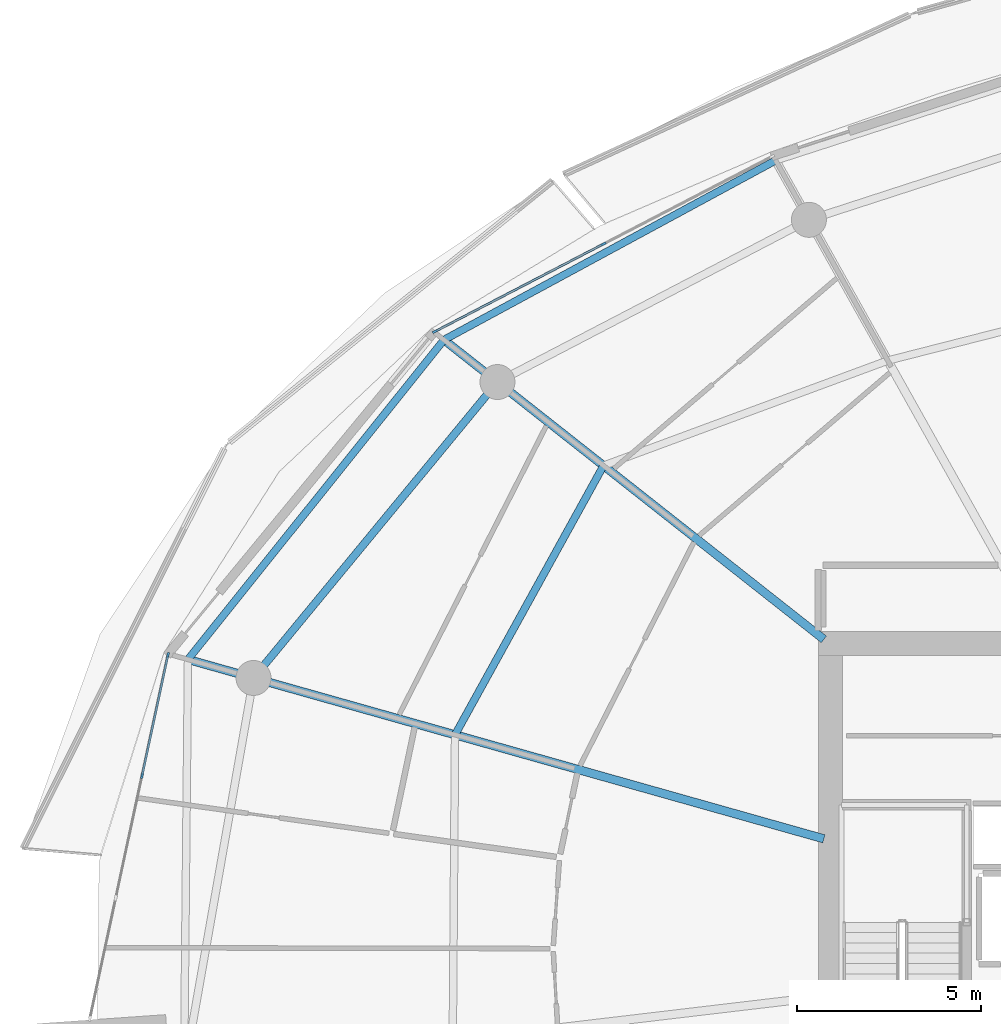
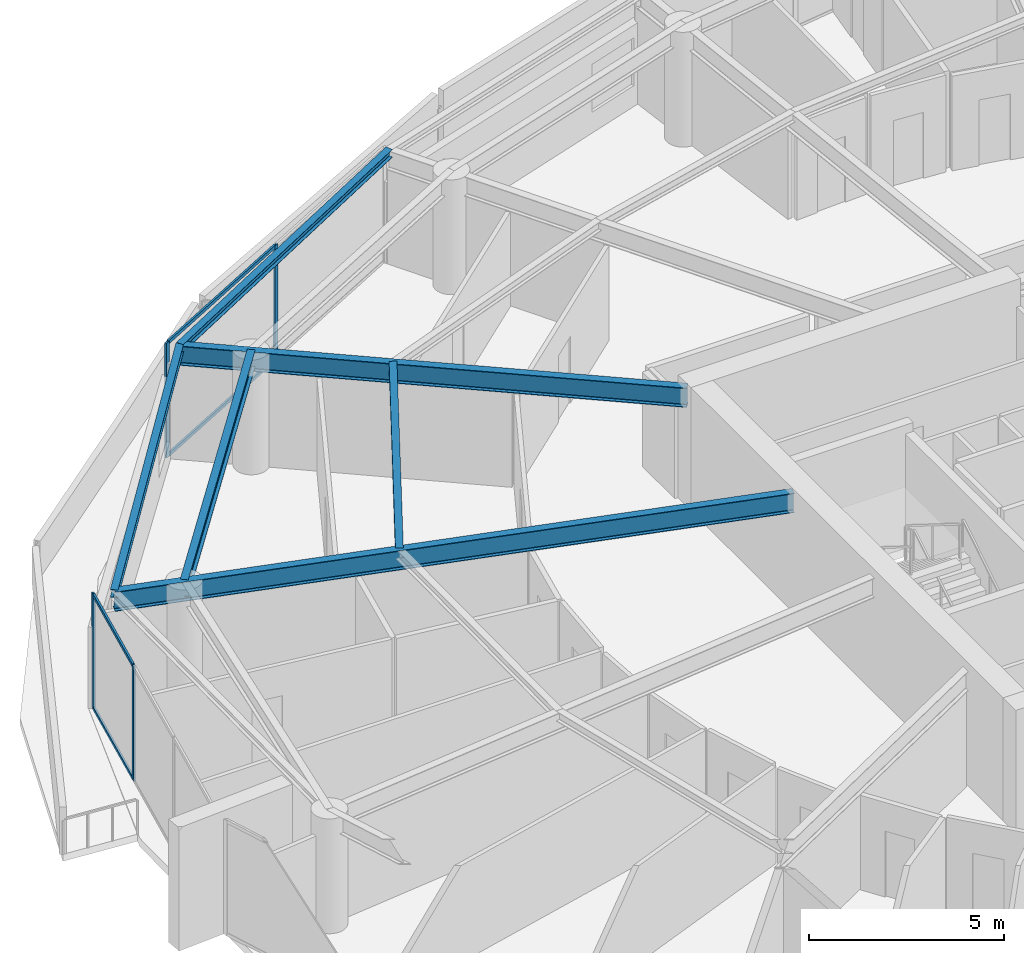
# One storey, part 11 of 29: 8 members, 6 beams, 2 elements without a shape of their own.
"""IFC4 building model written with IfcOpenShell, lengths in metres."""

from ifc_helpers import new_model, si_unit, direction, frame, origin, origin_2d, place, context, subcontext, project, spatial, rectangle, i_section, extrude, material, layer, layer_set, material_profile, profile_set, type_object, element, aggregate, save


model = new_model("IFC4")

# Units and contexts
model_context = context("Model", 3, precision=1e-05, world=origin(), true_north=direction((0.0, 1.0)))
body_context = subcontext(model_context, "Body", "Model", "MODEL_VIEW")
ifc_project = project(units=[si_unit("LENGTHUNIT", "METRE"), si_unit("AREAUNIT", "SQUARE_METRE"), si_unit("VOLUMEUNIT", "CUBIC_METRE"), si_unit("PLANEANGLEUNIT", "RADIAN"), si_unit("MASSUNIT", "GRAM", prefix="KILO")], contexts=[model_context])

# Site, building, storey
site_placement = place(None, origin())
site = spatial("IfcSite", under=ifc_project, at=site_placement, CompositionType="ELEMENT")
building_placement = place(site_placement, origin())
building = spatial("IfcBuilding", under=site, at=building_placement, Name="Kazma Halo Residences", CompositionType="ELEMENT")
storey_placement = place(building_placement, frame((0.0, 0.0, 252.10009765625)))
storey = spatial("IfcBuildingStorey", under=building, at=storey_placement, Name="L63", CompositionType="ELEMENT", Elevation=252.10009765625)

# Beams
ifc_material_1 = material(Name="Steel S355", Category="steel")
ifc_material_profile_1 = material_profile(ifc_material_1, i_section(OverallWidth=0.201904296875, OverallDepth=0.2470703125, WebThickness=0.00732421875, FlangeThickness=0.010986328125, FilletRadius=0.011962890625, at=origin_2d()), Name="W250x49.1")
ifc_profile_set_1 = profile_set([ifc_material_profile_1], Name="Steel S355")
beam_type_1 = type_object("IfcBeamType", Name="BM-BAL-CANT", PredefinedType="BEAM", material=ifc_profile_set_1)
beam_1_placement = place(storey_placement, frame((35.990478515625, 63.444580078125, 3.46630859375), z_axis=(-0.879517282036, -0.475866946321, 0.0), x_axis=(0.475866946321, -0.879517282036, 0.0)))
element("IfcBeam", 1, at=beam_1_placement, inside=storey, type_object=beam_type_1, Name="L63 wave-balcony tie beam 05", PredefinedType="BEAM", context=body_context, shape_type="SweptSolid", body=[
    extrude(i_section(OverallWidth=0.201904296875, OverallDepth=0.2470703125, WebThickness=0.00732421875, FlangeThickness=0.010986328125, FilletRadius=0.011962890625, at=origin_2d()), origin(), (0.0, 0.0, 1.0), 10.243408203125),
])
beam_2_placement = place(storey_placement, frame((26.981201171875, 58.570068359375, 3.46630859375), z_axis=(-0.625117912406, -0.780530329705, 0.0), x_axis=(0.780530329705, -0.625117912406, 0.0)))
element("IfcBeam", 2, at=beam_2_placement, inside=storey, type_object=beam_type_1, Name="L63 wave-balcony tie beam 06", PredefinedType="BEAM", context=body_context, shape_type="SweptSolid", body=[
    extrude(i_section(OverallWidth=0.201904296875, OverallDepth=0.2470703125, WebThickness=0.00732421875, FlangeThickness=0.010986328125, FilletRadius=0.011962890625, at=origin_2d()), origin(), (0.0, 0.0, 1.0), 11.1220703125),
])
ifc_material_profile_2 = material_profile(ifc_material_1, i_section(OverallWidth=0.22802734375, OverallDepth=0.60791015625, WebThickness=0.01123046875, FlangeThickness=0.017333984375, FilletRadius=0.01806640625, at=origin_2d()), Name="W610x113")
ifc_profile_set_2 = profile_set([ifc_material_profile_2], Name="Steel S355")
beam_type_2 = type_object("IfcBeamType", Name="BM-RAD-W610", PredefinedType="BEAM", material=ifc_profile_set_2)
beam_3_placement = place(storey_placement, frame((37.300048828125, 50.435302734375, 3.285888671875), z_axis=(-0.785315374811, 0.61909592317, 0.0), x_axis=(-0.61909592317, -0.785315374811, 0.0)))
element("IfcBeam", 3, at=beam_3_placement, inside=storey, type_object=beam_type_2, Name="L63 radial floor beam 06", PredefinedType="BEAM", context=body_context, shape_type="SweptSolid", body=[
    extrude(i_section(OverallWidth=0.22802734375, OverallDepth=0.60791015625, WebThickness=0.01123046875, FlangeThickness=0.017333984375, FilletRadius=0.01806640625, at=origin_2d()), origin(), (0.0, 0.0, 1.0), 13.1396484375),
])
beam_4_placement = place(storey_placement, frame((37.300048828125, 45.017578125, 3.285888671875), z_axis=(-0.962451225349, 0.271454671766, 0.0), x_axis=(-0.271454671766, -0.962451225349, 0.0)))
element("IfcBeam", 4, at=beam_4_placement, inside=storey, type_object=beam_type_2, Name="L63 radial floor beam 07", PredefinedType="BEAM", context=body_context, shape_type="SweptSolid", body=[
    extrude(i_section(OverallWidth=0.22802734375, OverallDepth=0.60791015625, WebThickness=0.01123046875, FlangeThickness=0.017333984375, FilletRadius=0.01806640625, at=origin_2d()), origin(), (0.0, 0.0, 1.0), 17.9453125),
])
ifc_material_profile_3 = material_profile(ifc_material_1, i_section(OverallWidth=0.202880859375, OverallDepth=0.302978515625, WebThickness=0.007568359375, FlangeThickness=0.01318359375, FilletRadius=0.013916015625, at=origin_2d()), Name="W310x60")
ifc_profile_set_3 = profile_set([ifc_material_profile_3], Name="Steel S355")
beam_type_3 = type_object("IfcBeamType", Name="BM-SEC-W310A", PredefinedType="JOIST", material=ifc_profile_set_3)
beam_5_placement = place(storey_placement, frame((31.31494140625, 55.1533203125, 3.4384765625), z_axis=(-0.483003900912, -0.875618199733, 0.0), x_axis=(0.875618199733, -0.483003900912, 0.0)))
element("IfcBeam", 5, at=beam_5_placement, inside=storey, type_object=beam_type_3, Name="L63 circumferential floor joist 06", PredefinedType="JOIST", context=body_context, shape_type="SweptSolid", body=[
    extrude(i_section(OverallWidth=0.202880859375, OverallDepth=0.302978515625, WebThickness=0.007568359375, FlangeThickness=0.01318359375, FilletRadius=0.013916015625, at=origin_2d()), origin(), (0.0, 0.0, 1.0), 8.3486328125),
])
ifc_material_profile_4 = material_profile(ifc_material_1, i_section(OverallWidth=0.208984375, OverallDepth=0.532958984375, WebThickness=0.01025390625, FlangeThickness=0.015625, FilletRadius=0.01611328125, at=origin_2d()), Name="W530x92")
ifc_profile_set_4 = profile_set([ifc_material_profile_4], Name="Steel S355")
beam_type_4 = type_object("IfcBeamType", Name="BM-SPN-W530", PredefinedType="BEAM", material=ifc_profile_set_4)
beam_6_placement = place(storey_placement, frame((28.433837890625, 57.4248046875, 3.323486328125), z_axis=(-0.636002144225, -0.771687289348, 0.0), x_axis=(0.771687289348, -0.636002144225, 0.0)))
element("IfcBeam", 6, at=beam_6_placement, inside=storey, type_object=beam_type_4, Name="L63 perimeter ring beam 06", PredefinedType="BEAM", context=body_context, shape_type="SweptSolid", body=[
    extrude(i_section(OverallWidth=0.208984375, OverallDepth=0.532958984375, WebThickness=0.01025390625, FlangeThickness=0.015625, FilletRadius=0.01611328125, at=origin_2d()), origin(), (0.0, 0.0, 1.0), 10.416259765625),
])

# Curtain wall, members
ifc_material_2 = material(Name="Aluminium AW-6063 T6 and Triple-Silver Low-E Glass", Category="aluminium")
ifc_layer = layer(ifc_material_2, 0.139892578125)
ifc_layer_set = layer_set([ifc_layer], Name="Aluminium AW-6063 T6 and Triple-Silver Low-E Glass")
curtain_wall_type = type_object("IfcCurtainWallType", Name="CW-SYS-5", PredefinedType="NOTDEFINED", material=ifc_layer_set)
curtain_wall_1_placement = place(storey_placement, origin())
curtain_wall_1 = element("IfcCurtainWall", 7, at=curtain_wall_1_placement, inside=storey, type_object=curtain_wall_type, Name="L63 unitised curtain wall B05", PredefinedType="NOTDEFINED")
ifc_material_3 = material(Name="Aluminium AW-6063 T6", Category="aluminium")
ifc_material_profile_5 = material_profile(ifc_material_3, rectangle(XDim=0.06005859375, YDim=0.139892578125, at=origin_2d()), Name="CWM-60x140")
ifc_profile_set_5 = profile_set([ifc_material_profile_5], Name="Aluminium AW-6063 T6")
member_type_1 = type_object("IfcMemberType", Name="CW-SYS-5-MUL", PredefinedType="MULLION", material=ifc_profile_set_5)
member_1_placement = place(storey_placement, frame((31.31591796875, 61.175537109375, 0.0), z_axis=(0.0, 0.0, 1.0), x_axis=(0.460960760804, -0.887420518694, 0.0)))
member_1 = element("IfcMember", 8, at=member_1_placement, type_object=member_type_1, Name="CWS-5 mullion 2", PredefinedType="MULLION", context=body_context, shape_type="SweptSolid", body=[
    extrude(rectangle(XDim=0.06005859375, YDim=0.139892578125, at=origin_2d()), origin(), (0.0, 0.0, 1.0), 3.58984375),
])
member_2_placement = place(storey_placement, frame((26.737060546875, 58.797119140625, 0.0), z_axis=(0.0, 0.0, 1.0), x_axis=(0.460960760804, -0.887420518694, 0.0)))
member_2 = element("IfcMember", 9, at=member_2_placement, type_object=member_type_1, Name="CWS-5 mullion 3", PredefinedType="MULLION", context=body_context, shape_type="SweptSolid", body=[
    extrude(rectangle(XDim=0.06005859375, YDim=0.139892578125, at=origin_2d()), origin(), (0.0, 0.0, 1.0), 3.58984375),
])

curtain_wall_2_placement = place(storey_placement, origin())
curtain_wall_2 = element("IfcCurtainWall", 10, at=curtain_wall_2_placement, inside=storey, type_object=curtain_wall_type, Name="L63 unitised curtain wall B07", PredefinedType="NOTDEFINED")
member_3_placement = place(storey_placement, frame((19.485107421875, 50.010986328125, 0.0), z_axis=(0.0, 0.0, 1.0), x_axis=(0.97777491373, -0.209657382603, 0.0)))
member_3 = element("IfcMember", 11, at=member_3_placement, type_object=member_type_1, Name="CWS-5 mullion 1", PredefinedType="MULLION", context=body_context, shape_type="SweptSolid", body=[
    extrude(rectangle(XDim=0.06005859375, YDim=0.139892578125, at=origin_2d()), origin(), (0.0, 0.0, 1.0), 3.58984375),
])
member_4_placement = place(storey_placement, frame((18.781005859375, 46.7265625, 0.0), z_axis=(0.0, 0.0, 1.0), x_axis=(0.97777491373, -0.209657382603, 0.0)))
member_4 = element("IfcMember", 12, at=member_4_placement, type_object=member_type_1, Name="CWS-5 mullion 2", PredefinedType="MULLION", context=body_context, shape_type="SweptSolid", body=[
    extrude(rectangle(XDim=0.06005859375, YDim=0.139892578125, at=origin_2d()), origin(), (0.0, 0.0, 1.0), 3.58984375),
])

# Member
ifc_material_profile_6 = material_profile(ifc_material_3, rectangle(XDim=0.06005859375, YDim=0.10498046875, at=origin_2d()), Name="CWT-60x105")
ifc_profile_set_6 = profile_set([ifc_material_profile_6], Name="Aluminium AW-6063 T6")
member_type_2 = type_object("IfcMemberType", Name="CW-SYS-5-TRN", PredefinedType="USERDEFINED", material=ifc_profile_set_6)
member_5_placement = place(storey_placement, frame((31.289306640625, 61.16162109375, 0.02978515625), z_axis=(-0.887436955863, -0.46092911534, 0.0), x_axis=(0.46092911534, -0.887436955863, 0.0)))
member_5 = element("IfcMember", 13, at=member_5_placement, type_object=member_type_2, Name="CWS-5 transom 2.1", ObjectType="TRANSOM", PredefinedType="USERDEFINED", context=body_context, shape_type="SweptSolid", body=[
    extrude(rectangle(XDim=0.06005859375, YDim=0.10498046875, at=origin_2d()), origin(), (0.0, 0.0, 1.0), 5.099609375),
])

member_6_placement = place(storey_placement, frame((31.289306640625, 61.16162109375, 3.559814453125), z_axis=(-0.887436955863, -0.46092911534, 0.0), x_axis=(0.46092911534, -0.887436955863, 0.0)))
member_6 = element("IfcMember", 14, at=member_6_placement, type_object=member_type_2, Name="CWS-5 transom 2.2", ObjectType="TRANSOM", PredefinedType="USERDEFINED", context=body_context, shape_type="SweptSolid", body=[
    extrude(rectangle(XDim=0.06005859375, YDim=0.10498046875, at=origin_2d()), origin(), (0.0, 0.0, 1.0), 5.099609375),
])

aggregate(curtain_wall_1, [member_1, member_2, member_5, member_6])

member_7_placement = place(storey_placement, frame((19.47900390625, 49.9814453125, 0.02978515625), z_axis=(-0.209660493552, -0.977774246666, 0.0), x_axis=(0.977774246666, -0.209660493552, 0.0)))
member_7 = element("IfcMember", 15, at=member_7_placement, type_object=member_type_2, Name="CWS-5 transom 1.1", ObjectType="TRANSOM", PredefinedType="USERDEFINED", context=body_context, shape_type="SweptSolid", body=[
    extrude(rectangle(XDim=0.06005859375, YDim=0.10498046875, at=origin_2d()), origin(), (0.0, 0.0, 1.0), 3.298828125),
])

member_8_placement = place(storey_placement, frame((19.47900390625, 49.9814453125, 3.559814453125), z_axis=(-0.209660493552, -0.977774246666, 0.0), x_axis=(0.977774246666, -0.209660493552, 0.0)))
member_8 = element("IfcMember", 16, at=member_8_placement, type_object=member_type_2, Name="CWS-5 transom 1.2", ObjectType="TRANSOM", PredefinedType="USERDEFINED", context=body_context, shape_type="SweptSolid", body=[
    extrude(rectangle(XDim=0.06005859375, YDim=0.10498046875, at=origin_2d()), origin(), (0.0, 0.0, 1.0), 3.298828125),
])

aggregate(curtain_wall_2, [member_3, member_4, member_7, member_8])

save(model, "model.ifc")
